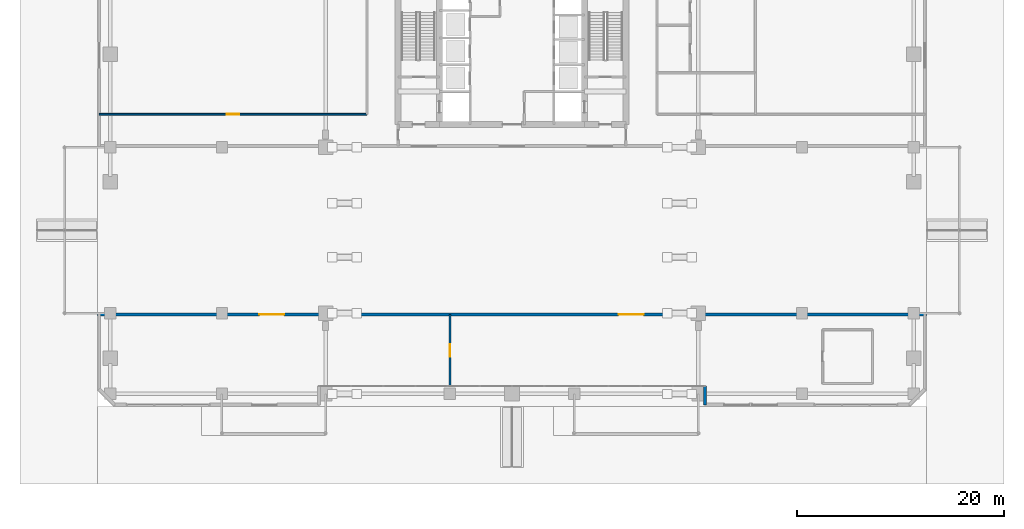
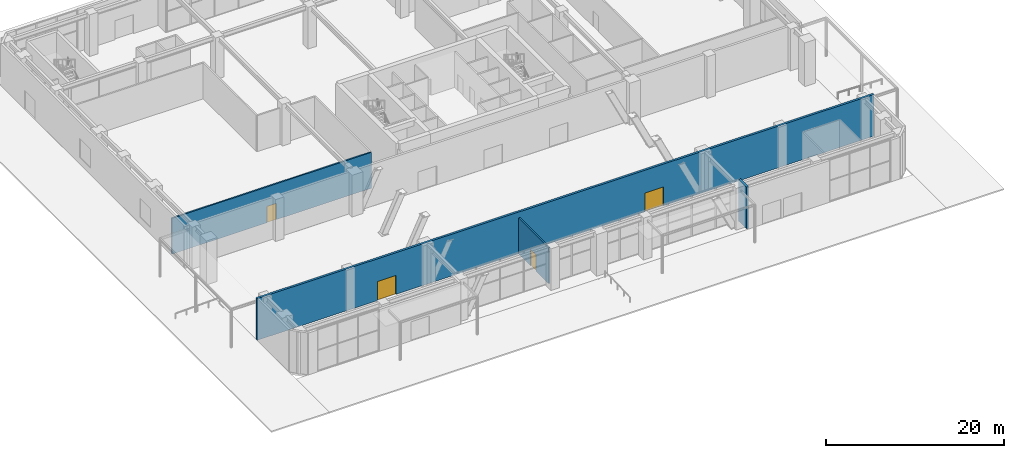
# One storey, part 34 of 49: 4 doors, 4 walls, 4 openings.
"""IFC4 building model written with IfcOpenShell, lengths in metres."""

from ifc_helpers import new_model, si_unit, direction, frame, frame_2d, origin, place, context, subcontext, project, spatial, rectangle, extrude, material, layer, layer_set, type_object, element, fill, save


model = new_model("IFC4")

# Units and contexts
model_context = context("Model", 3, precision=1e-05, world=origin(), true_north=direction((0.0, 1.0)))
body_context = subcontext(model_context, "Body", "Model", "MODEL_VIEW")
ifc_project = project(units=[si_unit("LENGTHUNIT", "METRE"), si_unit("AREAUNIT", "SQUARE_METRE"), si_unit("VOLUMEUNIT", "CUBIC_METRE"), si_unit("PLANEANGLEUNIT", "RADIAN"), si_unit("MASSUNIT", "GRAM", prefix="KILO")], contexts=[model_context])

# Site, building, storey
site_placement = place(None, origin())
site = spatial("IfcSite", under=ifc_project, at=site_placement, CompositionType="ELEMENT")
building_placement = place(site_placement, origin())
building = spatial("IfcBuilding", under=site, at=building_placement, Name="Sarneth Arch Tower", CompositionType="ELEMENT")
storey_placement = place(building_placement, origin())
storey = spatial("IfcBuildingStorey", under=building, at=storey_placement, Name="L00", CompositionType="ELEMENT", Elevation=0.0)

# Wall, opening, door
ifc_material_1 = material(Name="Double steel-stud corridor fire wall", Category="steel")
ifc_layer_1 = layer(ifc_material_1, 0.18994140625)
ifc_layer_set_1 = layer_set([ifc_layer_1], Name="Double steel-stud corridor fire wall")
wall_type_1 = type_object("IfcWallType", Name="WALL-CORR-190", PredefinedType="PARTITIONING", material=ifc_layer_set_1)
wall_1_placement = place(storey_placement, frame((8.14990234375, 36.199951171875, 0.0), z_axis=(0.0, 0.0, 1.0), x_axis=(1.0, 0.0, 0.0)))
wall_1 = element("IfcWall", 1, at=wall_1_placement, inside=storey, type_object=wall_type_1, Name="L00 Interior partition W-L00N-TP-005", PredefinedType="PARTITIONING", context=body_context, shape_type="SweptSolid", body=[
    extrude(rectangle(XDim=25.85009765625, YDim=0.18994140625, at=frame_2d((12.925048828125, 0.0))), origin(), (0.0, 0.0, 1.0), 4.919921875),
])
opening_1_placement = place(wall_1_placement, frame((12.324951171875, 0.0, 0.0)))
opening_1 = element("IfcOpeningElement", 2, at=opening_1_placement, cuts=wall_1, Name="Opening FD-06", PredefinedType="OPENING", context=body_context, shape_type="SweptSolid", body=[
    extrude(rectangle(XDim=1.199951171875, YDim=2.25, at=frame_2d((0.60009765625, 1.125))), frame((0.0, 0.10498046875, 0.0), z_axis=(0.0, -1.0, 0.0), x_axis=(1.0, 0.0, 0.0)), (0.0, 0.0, 1.0), 0.2099609375),
])
ifc_material_2 = material(Name="Hardwood timber acoustic fire door", Category="wood")
door_type_1 = type_object("IfcDoorType", Name="DR-FD60-1200", OperationType="SINGLE_SWING_LEFT", PredefinedType="DOOR", material=ifc_material_2)
door_1_placement = place(opening_1_placement, origin())
door_1 = element("IfcDoor", 3, at=door_1_placement, inside=storey, type_object=door_type_1, Name="L00 Interior door DR-L00-NRET", OperationType="SINGLE_SWING_LEFT", OverallHeight=2.25, OverallWidth=1.199951171875, PredefinedType="DOOR", context=body_context, shape_type="SweptSolid", body=[
    extrude(rectangle(XDim=1.199951171875, YDim=2.25, at=frame_2d((0.60009765625, 1.125))), frame((0.0, 0.02490234375, 0.0), z_axis=(0.0, -1.0, 0.0), x_axis=(1.0, 0.0, 0.0)), (0.0, 0.0, 1.0), 0.050048828125),
])
fill(opening_1, door_1)

# Wall
ifc_material_3 = material(Name="Extruded terracotta rainscreen on Concrete C40/50 backing", Category="masonry")
ifc_layer_2 = layer(ifc_material_3, 0.280029296875)
ifc_layer_set_2 = layer_set([ifc_layer_2], Name="Extruded terracotta rainscreen on Concrete C40/50 backing")
wall_type_2 = type_object("IfcWallType", Name="WALL-EXT-TERRA-280", PredefinedType="SOLIDWALL", material=ifc_layer_set_2)
wall_2_placement = place(storey_placement, frame((66.64990234375, 9.949951171875, 0.0), z_axis=(0.0, 0.0, 1.0), x_axis=(0.0, -1.0, 0.0)))
element("IfcWall", 4, at=wall_2_placement, inside=storey, type_object=wall_type_2, Name="L00 South-east arch portal return", PredefinedType="SOLIDWALL", context=body_context, shape_type="SweptSolid", body=[
    extrude(rectangle(XDim=1.800048828125, YDim=0.280029296875, at=frame_2d((0.89990234375, 0.0))), origin(), (0.0, 0.0, 1.0), 5.719970703125),
])

# Wall, openings, doors
wall_3_placement = place(storey_placement, frame((8.0, 16.85009765625, 0.0), z_axis=(0.0, 0.0, 1.0), x_axis=(1.0, 0.0, 0.0)))
wall_3 = element("IfcWall", 5, at=wall_3_placement, inside=storey, type_object=wall_type_2, Name="L00 Arch passage south portal wall", PredefinedType="SOLIDWALL", context=body_context, shape_type="SweptSolid", body=[
    extrude(rectangle(XDim=80.0, YDim=0.280029296875, at=frame_2d((40.0, 0.0))), origin(), (0.0, 0.0, 1.0), 5.719970703125),
])
opening_2_placement = place(wall_3_placement, frame((15.60009765625, 0.0, 0.0)))
opening_2 = element("IfcOpeningElement", 6, at=opening_2_placement, cuts=wall_3, Name="Opening ED-1", PredefinedType="OPENING", context=body_context, shape_type="SweptSolid", body=[
    extrude(rectangle(XDim=2.39990234375, YDim=2.60009765625, at=frame_2d((1.199951171875, 1.300048828125))), frame((0.0, 0.14990234375, 0.0), z_axis=(0.0, -1.0, 0.0), x_axis=(1.0, 0.0, 0.0)), (0.0, 0.0, 1.0), 0.300048828125),
])
opening_3_placement = place(wall_3_placement, frame((50.300048828125, 0.0, 0.0)))
opening_3 = element("IfcOpeningElement", 7, at=opening_3_placement, cuts=wall_3, Name="Opening ED-1", PredefinedType="OPENING", context=body_context, shape_type="SweptSolid", body=[
    extrude(rectangle(XDim=2.39990234375, YDim=2.60009765625, at=frame_2d((1.199951171875, 1.300048828125))), frame((0.0, 0.14990234375, 0.0), z_axis=(0.0, -1.0, 0.0), x_axis=(1.0, 0.0, 0.0)), (0.0, 0.0, 1.0), 0.300048828125),
])
ifc_material_4 = material(Name="Thermally broken Aluminium 6063-T6 and laminated safety glass", Category="aluminium")
door_type_2 = type_object("IfcDoorType", Name="DR-EXT-DBL-2400", OperationType="DOUBLE_DOOR_SINGLE_SWING", PredefinedType="DOOR", material=ifc_material_4)
door_2_placement = place(opening_2_placement, origin())
door_2 = element("IfcDoor", 8, at=door_2_placement, inside=storey, type_object=door_type_2, Name="Arch Concourse South Retail Door 1", OperationType="DOUBLE_DOOR_SINGLE_SWING", OverallHeight=2.60009765625, OverallWidth=2.39990234375, PredefinedType="DOOR", context=body_context, shape_type="SweptSolid", body=[
    extrude(rectangle(XDim=2.39990234375, YDim=2.60009765625, at=frame_2d((1.199951171875, 1.300048828125))), frame((0.0, 0.02490234375, 0.0), z_axis=(0.0, -1.0, 0.0), x_axis=(1.0, 0.0, 0.0)), (0.0, 0.0, 1.0), 0.050048828125),
])
fill(opening_2, door_2)
door_3_placement = place(opening_3_placement, origin())
door_3 = element("IfcDoor", 9, at=door_3_placement, inside=storey, type_object=door_type_2, Name="Arch Concourse South Retail Door 2", OperationType="DOUBLE_DOOR_SINGLE_SWING", OverallHeight=2.60009765625, OverallWidth=2.39990234375, PredefinedType="DOOR", context=body_context, shape_type="SweptSolid", body=[
    extrude(rectangle(XDim=2.39990234375, YDim=2.60009765625, at=frame_2d((1.199951171875, 1.300048828125))), frame((0.0, 0.02490234375, 0.0), z_axis=(0.0, -1.0, 0.0), x_axis=(1.0, 0.0, 0.0)), (0.0, 0.0, 1.0), 0.050048828125),
])
fill(opening_3, door_3)

# Wall, opening, door
ifc_material_5 = material(Name="Double steel-stud acoustic drywall", Category="steel")
ifc_layer_3 = layer(ifc_material_5, 0.199951171875)
ifc_layer_set_3 = layer_set([ifc_layer_3], Name="Double steel-stud acoustic drywall")
wall_type_3 = type_object("IfcWallType", Name="WALL-UNIT-200", PredefinedType="PARTITIONING", material=ifc_layer_set_3)
wall_4_placement = place(storey_placement, frame((42.0, 16.85009765625, 0.0), z_axis=(0.0, 0.0, 1.0), x_axis=(0.0, -1.0, 0.0)))
wall_4 = element("IfcWall", 10, at=wall_4_placement, inside=storey, type_object=wall_type_3, Name="L00 Interior partition W-L00S-TP-001", PredefinedType="PARTITIONING", context=body_context, shape_type="SweptSolid", body=[
    extrude(rectangle(XDim=6.900146484375, YDim=0.199951171875, at=frame_2d((3.4501953125, 0.0))), origin(), (0.0, 0.0, 1.0), 4.919921875),
])
opening_4_placement = place(wall_4_placement, frame((2.85009765625, 0.0, 0.0)))
opening_4 = element("IfcOpeningElement", 11, at=opening_4_placement, cuts=wall_4, Name="Opening FD-06", PredefinedType="OPENING", context=body_context, shape_type="SweptSolid", body=[
    extrude(rectangle(XDim=1.199951171875, YDim=2.25, at=frame_2d((0.60009765625, 1.125))), frame((0.0, 0.10986328125, 0.0), z_axis=(0.0, -1.0, 0.0), x_axis=(1.0, 0.0, 0.0)), (0.0, 0.0, 1.0), 0.219970703125),
])
door_4_placement = place(opening_4_placement, origin())
door_4 = element("IfcDoor", 12, at=door_4_placement, inside=storey, type_object=door_type_1, Name="L00 Interior door DR-L00-SRET-LINK", OperationType="SINGLE_SWING_LEFT", OverallHeight=2.25, OverallWidth=1.199951171875, PredefinedType="DOOR", context=body_context, shape_type="SweptSolid", body=[
    extrude(rectangle(XDim=1.199951171875, YDim=2.25, at=frame_2d((0.60009765625, 1.125))), frame((0.0, 0.02490234375, 0.0), z_axis=(0.0, -1.0, 0.0), x_axis=(1.0, 0.0, 0.0)), (0.0, 0.0, 1.0), 0.050048828125),
])
fill(opening_4, door_4)

save(model, "model.ifc")
